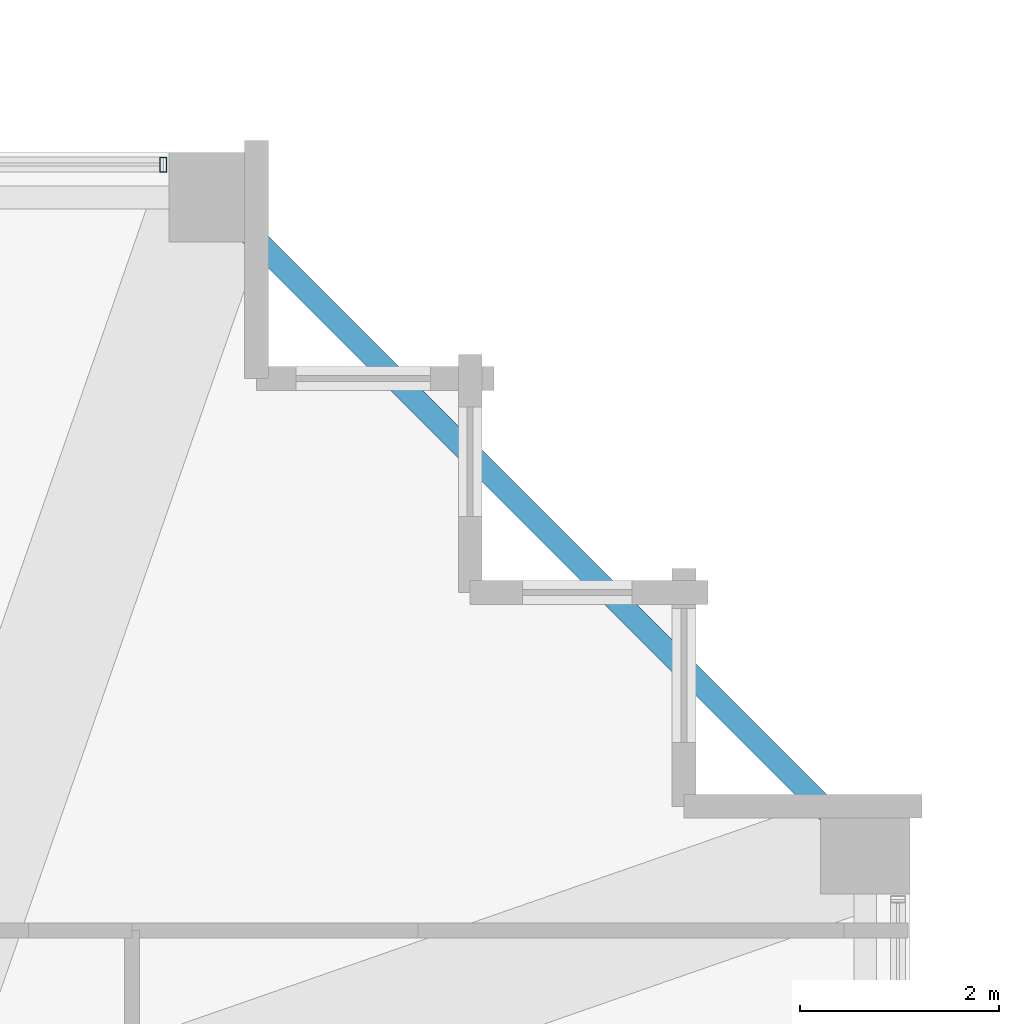
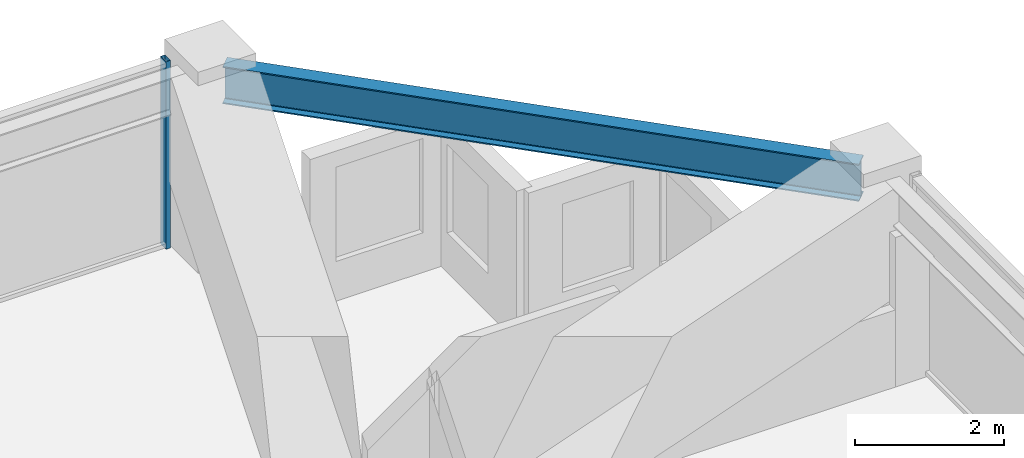
# One storey, part 24 of 37: 1 beam, 1 member, 1 element without a shape of its own.
"""IFC4 building model written with IfcOpenShell, lengths in metres."""

from ifc_helpers import new_model, si_unit, direction, frame, origin, origin_2d, place, context, subcontext, project, spatial, hollow_rectangle, i_section, extrude, material, material_profile, profile_set, type_object, element, aggregate, save


model = new_model("IFC4")

# Units and contexts
model_context = context("Model", 3, precision=1e-05, world=origin(), true_north=direction((0.0, 1.0)))
body_context = subcontext(model_context, "Body", "Model", "MODEL_VIEW")
ifc_project = project(units=[si_unit("LENGTHUNIT", "METRE"), si_unit("AREAUNIT", "SQUARE_METRE"), si_unit("VOLUMEUNIT", "CUBIC_METRE"), si_unit("PLANEANGLEUNIT", "RADIAN"), si_unit("MASSUNIT", "GRAM", prefix="KILO")], contexts=[model_context])

# Site, building, storey
site_placement = place(None, origin())
site = spatial("IfcSite", under=ifc_project, at=site_placement, CompositionType="ELEMENT")
building_placement = place(site_placement, origin())
building = spatial("IfcBuilding", under=site, at=building_placement, Name="Kolvaren Belvedere", CompositionType="ELEMENT")
storey_placement = place(building_placement, frame((0.0, 0.0, 186.60009765625)))
storey = spatial("IfcBuildingStorey", under=building, at=storey_placement, Name="L54", CompositionType="ELEMENT", Elevation=186.60009765625)

# Beam
ifc_material_1 = material(Name="Structural steel ASTM A992 Grade 50", Category="steel")
ifc_material_profile_1 = material_profile(ifc_material_1, i_section(OverallWidth=0.22900390625, OverallDepth=0.612060546875, WebThickness=0.011962890625, FlangeThickness=0.01953125, FilletRadius=0.01806640625, at=origin_2d()), Name="W24X84")
ifc_profile_set_1 = profile_set([ifc_material_profile_1], Name="Structural steel ASTM A992 Grade 50")
beam_type = type_object("IfcBeamType", Name="BM-SPAN-W24X84", PredefinedType="SPANDREL", material=ifc_profile_set_1)
beam_placement = place(storey_placement, frame((19.806884765625, 13.543212890625, 2.77392578125), z_axis=(-0.707106781187, 0.707106781187, 0.0), x_axis=(-0.707106781187, -0.707106781187, 0.0)))
element("IfcBeam", 1, at=beam_placement, inside=storey, type_object=beam_type, Name="L54 Perimeter Spandrel E4-N4", PredefinedType="SPANDREL", context=body_context, shape_type="SweptSolid", body=[
    extrude(i_section(OverallWidth=0.22900390625, OverallDepth=0.612060546875, WebThickness=0.011962890625, FlangeThickness=0.01953125, FilletRadius=0.01806640625, at=origin_2d()), origin(), (0.0, 0.0, 1.0), 8.858154296875),
])

# Curtain wall, member
ifc_material_2 = material(Name="Anodised pale-metal aluminium AA 6063-T6", Category="aluminium")
curtain_wall_type = type_object("IfcCurtainWallType", Name="CW-Z5-HIGH", PredefinedType="NOTDEFINED", material=ifc_material_2)
curtain_wall_placement = place(storey_placement, origin())
curtain_wall = element("IfcCurtainWall", 2, at=curtain_wall_placement, inside=storey, type_object=curtain_wall_type, Name="L54 Unitised Curtain Wall FCW-L54-N2-B2", PredefinedType="NOTDEFINED")
ifc_material_3 = material(Name="Anodised pale-metal aluminium AA 6063-T6", Category="aluminium")
ifc_material_profile_2 = material_profile(ifc_material_3, hollow_rectangle(XDim=0.070068359375, YDim=0.14990234375, WallThickness=0.004150390625, at=origin_2d()), Name="ALU-MUL-150X70")
ifc_profile_set_2 = profile_set([ifc_material_profile_2], Name="Anodised pale-metal aluminium AA 6063-T6")
member_type = type_object("IfcMemberType", Name="CW-MUL-150", PredefinedType="MULLION", material=ifc_profile_set_2)
member_placement = place(storey_placement, frame((12.89501953125, 20.280029296875, 0.0), z_axis=(0.0, 0.0, 1.0), x_axis=(1.0, 0.0, 0.0)))
member = element("IfcMember", 3, at=member_placement, type_object=member_type, Name="FCW-L54-N2-B2 Unitised Mullion 3", PredefinedType="MULLION", context=body_context, shape_type="SweptSolid", body=[
    extrude(hollow_rectangle(XDim=0.070068359375, YDim=0.14990234375, WallThickness=0.004150390625, at=origin_2d()), origin(), (0.0, 0.0, 1.0), 3.079833984375),
])
aggregate(curtain_wall, [member])

save(model, "model.ifc")
